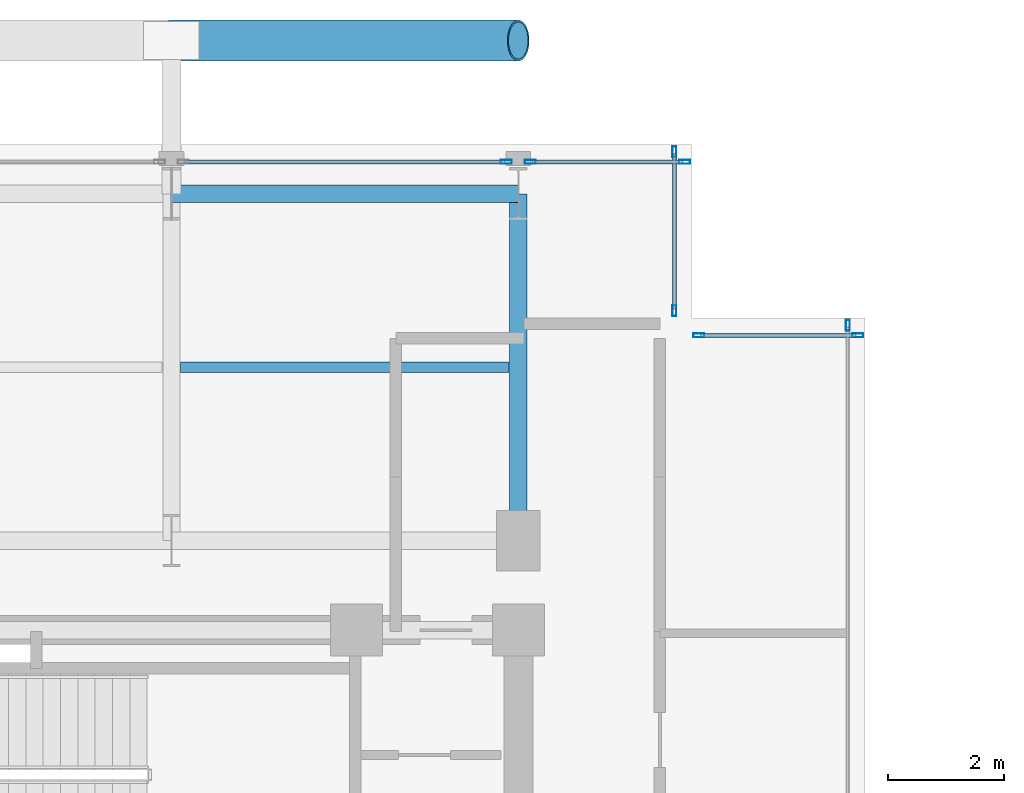
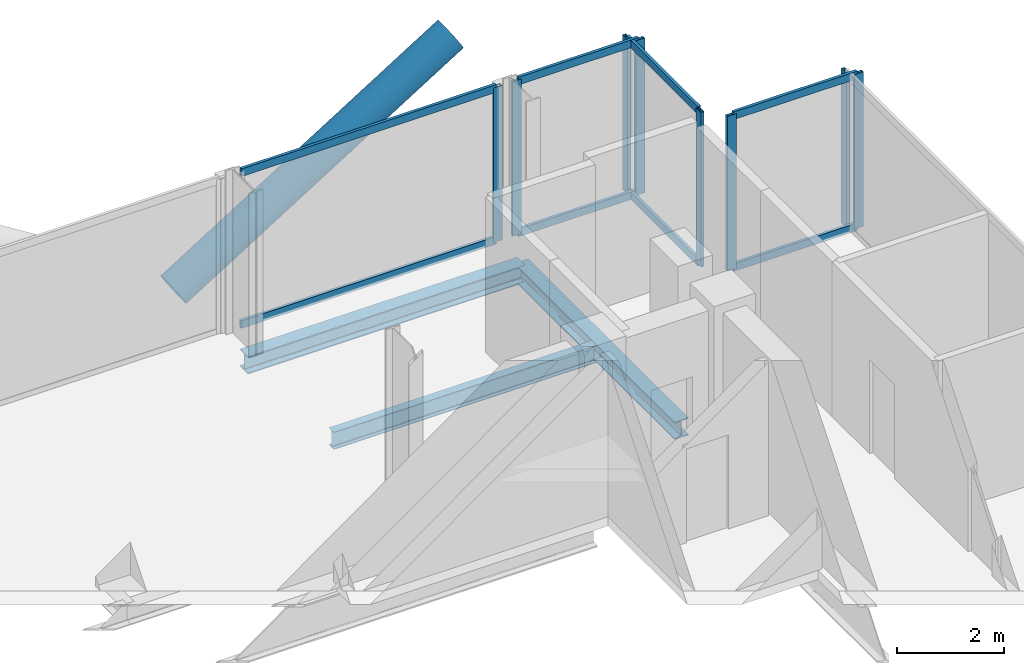
# One storey, part 14 of 21: 17 members, 3 beams, 5 elements without a shape of their own.
"""IFC4 building model written with IfcOpenShell, lengths in metres."""

from ifc_helpers import new_model, si_unit, direction, frame, origin, origin_2d, place, context, subcontext, project, spatial, hollow_rectangle, hollow_circle, i_section, extrude, material, layer, layer_set, material_profile, profile_set, type_object, element, aggregate, save


model = new_model("IFC4")

# Units and contexts
model_context = context("Model", 3, precision=1e-05, world=origin(), true_north=direction((0.0, 1.0)))
body_context = subcontext(model_context, "Body", "Model", "MODEL_VIEW")
ifc_project = project(units=[si_unit("LENGTHUNIT", "METRE"), si_unit("AREAUNIT", "SQUARE_METRE"), si_unit("VOLUMEUNIT", "CUBIC_METRE"), si_unit("PLANEANGLEUNIT", "RADIAN"), si_unit("MASSUNIT", "GRAM", prefix="KILO"), si_unit("THERMODYNAMICTEMPERATUREUNIT", "KELVIN"), si_unit("POWERUNIT", "WATT")], contexts=[model_context])

# Site, building, storey
site_placement = place(None, origin())
site = spatial("IfcSite", under=ifc_project, at=site_placement, CompositionType="ELEMENT")
building_placement = place(site_placement, origin())
building = spatial("IfcBuilding", under=site, at=building_placement, Name="Svarakhadi Broadcast Tower", CompositionType="ELEMENT")
storey_placement = place(building_placement, frame((0.0, 0.0, 208.64990234375)))
storey = spatial("IfcBuildingStorey", under=building, at=storey_placement, Name="L51", CompositionType="ELEMENT", Elevation=208.64990234375)

# Beam
ifc_material_1 = material(Name="Steel S355J2 (IS 2062 E350C)", Category="steel")
ifc_material_profile_1 = material_profile(ifc_material_1, i_section(OverallWidth=0.179931640625, OverallDepth=0.39990234375, WebThickness=0.008544921875, FlangeThickness=0.013427734375, FilletRadius=0.02099609375, at=origin_2d()), Name="NPB 400x180x66")
ifc_profile_set_1 = profile_set([ifc_material_profile_1], Name="Steel S355J2 (IS 2062 E350C)")
beam_type_1 = type_object("IfcBeamType", Name="Beam_NPB400", PredefinedType="BEAM", material=ifc_profile_set_1)
beam_placement = place(storey_placement, frame((12.159912109375, 32.14990234375, -0.409912109375), z_axis=(1.0, 0.0, 0.0), x_axis=(0.0, 1.0, 0.0)))
element("IfcBeam", 1, at=beam_placement, inside=storey, type_object=beam_type_1, Name="L51 Secondary Composite Beam SB012", PredefinedType="BEAM", context=body_context, shape_type="SweptSolid", body=[
    extrude(i_section(OverallWidth=0.179931640625, OverallDepth=0.39990234375, WebThickness=0.008544921875, FlangeThickness=0.013427734375, FilletRadius=0.02099609375, at=origin_2d()), origin(), (0.0, 0.0, 1.0), 5.68017578125),
])

# Curtain wall, member
ifc_material_2 = material(Name="Anodised Bronze Aluminium AA 6063-T6", Category="aluminium")
ifc_layer = layer(ifc_material_2, 0.18994140625)
ifc_layer_set = layer_set([ifc_layer], Name="Anodised Bronze Aluminium AA 6063-T6")
curtain_wall_type = type_object("IfcCurtainWallType", Name="CW_Sys_04", PredefinedType="NOTDEFINED", material=ifc_layer_set)
curtain_wall_1_placement = place(storey_placement, origin())
curtain_wall_1 = element("IfcCurtainWall", 2, at=curtain_wall_1_placement, inside=storey, type_object=curtain_wall_type, Name="L51 Unitised Facade Curtain Wall 06 Bay 2", PredefinedType="NOTDEFINED")
ifc_material_profile_2 = material_profile(ifc_material_2, hollow_rectangle(XDim=0.070068359375, YDim=0.18994140625, WallThickness=0.005615234375, at=origin_2d()), Name="ALU MULLION 190x70x6")
ifc_profile_set_2 = profile_set([ifc_material_profile_2], Name="Anodised Bronze Aluminium AA 6063-T6")
member_type_1 = type_object("IfcMemberType", Name="CW_Sys_04_Mul", PredefinedType="MULLION", material=ifc_profile_set_2)
member_1_placement = place(storey_placement, frame((17.794921875, 35.699951171875, 0.0), z_axis=(0.0, 0.0, 1.0), x_axis=(0.0, 1.0, 0.0)))
member_1 = element("IfcMember", 3, at=member_1_placement, type_object=member_type_1, Name="CW-04 mullion 2", PredefinedType="MULLION", context=body_context, shape_type="SweptSolid", body=[
    extrude(hollow_rectangle(XDim=0.070068359375, YDim=0.18994140625, WallThickness=0.005615234375, at=origin_2d()), origin(), (0.0, 0.0, 1.0), 3.5400390625),
])

# Curtain wall, members
curtain_wall_2_placement = place(storey_placement, origin())
curtain_wall_2 = element("IfcCurtainWall", 4, at=curtain_wall_2_placement, inside=storey, type_object=curtain_wall_type, Name="L51 Unitised Facade Curtain Wall 06 Bay 3", PredefinedType="NOTDEFINED")
member_2_placement = place(storey_placement, frame((18.205078125, 35.699951171875, 0.0), z_axis=(0.0, 0.0, 1.0), x_axis=(0.0, 1.0, 0.0)))
member_2 = element("IfcMember", 5, at=member_2_placement, type_object=member_type_1, Name="CW-04 mullion 1", PredefinedType="MULLION", context=body_context, shape_type="SweptSolid", body=[
    extrude(hollow_rectangle(XDim=0.070068359375, YDim=0.18994140625, WallThickness=0.005615234375, at=origin_2d()), origin(), (0.0, 0.0, 1.0), 3.5400390625),
])
member_3_placement = place(storey_placement, frame((20.875, 35.699951171875, 0.0), z_axis=(0.0, 0.0, 1.0), x_axis=(0.0, 1.0, 0.0)))
member_3 = element("IfcMember", 6, at=member_3_placement, type_object=member_type_1, Name="CW-04 mullion 2", PredefinedType="MULLION", context=body_context, shape_type="SweptSolid", body=[
    extrude(hollow_rectangle(XDim=0.070068359375, YDim=0.18994140625, WallThickness=0.005615234375, at=origin_2d()), origin(), (0.0, 0.0, 1.0), 3.5400390625),
])

curtain_wall_3_placement = place(storey_placement, origin())
curtain_wall_3 = element("IfcCurtainWall", 7, at=curtain_wall_3_placement, inside=storey, type_object=curtain_wall_type, Name="L51 Unitised Facade Curtain Wall 07", PredefinedType="NOTDEFINED")
member_4_placement = place(storey_placement, frame((20.699951171875, 35.875, 0.0), z_axis=(0.0, 0.0, 1.0), x_axis=(1.0, 0.0, 0.0)))
member_4 = element("IfcMember", 8, at=member_4_placement, type_object=member_type_1, Name="CW-04 mullion 1", PredefinedType="MULLION", context=body_context, shape_type="SweptSolid", body=[
    extrude(hollow_rectangle(XDim=0.070068359375, YDim=0.18994140625, WallThickness=0.005615234375, at=origin_2d()), origin(), (0.0, 0.0, 1.0), 3.5400390625),
])
member_5_placement = place(storey_placement, frame((20.699951171875, 33.125, 0.0), z_axis=(0.0, 0.0, 1.0), x_axis=(1.0, 0.0, 0.0)))
member_5 = element("IfcMember", 9, at=member_5_placement, type_object=member_type_1, Name="CW-04 mullion 2", PredefinedType="MULLION", context=body_context, shape_type="SweptSolid", body=[
    extrude(hollow_rectangle(XDim=0.070068359375, YDim=0.18994140625, WallThickness=0.005615234375, at=origin_2d()), origin(), (0.0, 0.0, 1.0), 3.5400390625),
])

curtain_wall_4_placement = place(storey_placement, origin())
curtain_wall_4 = element("IfcCurtainWall", 10, at=curtain_wall_4_placement, inside=storey, type_object=curtain_wall_type, Name="L51 Unitised Facade Curtain Wall 08", PredefinedType="NOTDEFINED")
member_6_placement = place(storey_placement, frame((21.125, 32.699951171875, 0.0), z_axis=(0.0, 0.0, 1.0), x_axis=(0.0, 1.0, 0.0)))
member_6 = element("IfcMember", 11, at=member_6_placement, type_object=member_type_1, Name="CW-04 mullion 1", PredefinedType="MULLION", context=body_context, shape_type="SweptSolid", body=[
    extrude(hollow_rectangle(XDim=0.070068359375, YDim=0.18994140625, WallThickness=0.005615234375, at=origin_2d()), origin(), (0.0, 0.0, 1.0), 3.5400390625),
])
member_7_placement = place(storey_placement, frame((23.875, 32.699951171875, 0.0), z_axis=(0.0, 0.0, 1.0), x_axis=(0.0, 1.0, 0.0)))
member_7 = element("IfcMember", 12, at=member_7_placement, type_object=member_type_1, Name="CW-04 mullion 2", PredefinedType="MULLION", context=body_context, shape_type="SweptSolid", body=[
    extrude(hollow_rectangle(XDim=0.070068359375, YDim=0.18994140625, WallThickness=0.005615234375, at=origin_2d()), origin(), (0.0, 0.0, 1.0), 3.5400390625),
])

# Curtain wall, member
curtain_wall_5_placement = place(storey_placement, origin())
curtain_wall_5 = element("IfcCurtainWall", 13, at=curtain_wall_5_placement, inside=storey, type_object=curtain_wall_type, Name="L51 Unitised Facade Curtain Wall 09", PredefinedType="NOTDEFINED")
member_8_placement = place(storey_placement, frame((23.699951171875, 32.875, 0.0), z_axis=(0.0, 0.0, 1.0), x_axis=(1.0, 0.0, 0.0)))
member_8 = element("IfcMember", 14, at=member_8_placement, type_object=member_type_1, Name="CW-04 mullion 1", PredefinedType="MULLION", context=body_context, shape_type="SweptSolid", body=[
    extrude(hollow_rectangle(XDim=0.070068359375, YDim=0.18994140625, WallThickness=0.005615234375, at=origin_2d()), origin(), (0.0, 0.0, 1.0), 3.5400390625),
])
aggregate(curtain_wall_5, [member_8])

# Member
ifc_material_profile_3 = material_profile(ifc_material_2, hollow_rectangle(XDim=0.06494140625, YDim=0.175048828125, WallThickness=0.0048828125, at=origin_2d()), Name="ALU TRANSOM 175x65x5")
ifc_profile_set_3 = profile_set([ifc_material_profile_3], Name="Anodised Bronze Aluminium AA 6063-T6")
member_type_2 = type_object("IfcMemberType", Name="CW_Sys_04_Trn", PredefinedType="USERDEFINED", material=ifc_profile_set_3)
member_9_placement = place(storey_placement, frame((12.239990234375, 35.699951171875, 0.03271484375), z_axis=(1.0, 0.0, 0.0), x_axis=(0.0, 1.0, 0.0)))
member_9 = element("IfcMember", 15, at=member_9_placement, type_object=member_type_2, Name="CW-04 transom 1.1", ObjectType="TRANSOM", PredefinedType="USERDEFINED", context=body_context, shape_type="SweptSolid", body=[
    extrude(hollow_rectangle(XDim=0.06494140625, YDim=0.175048828125, WallThickness=0.0048828125, at=origin_2d()), origin(), (0.0, 0.0, 1.0), 5.52001953125),
])

member_10_placement = place(storey_placement, frame((12.239990234375, 35.699951171875, 3.507568359375), z_axis=(1.0, 0.0, 0.0), x_axis=(0.0, 1.0, 0.0)))
member_10 = element("IfcMember", 16, at=member_10_placement, type_object=member_type_2, Name="CW-04 transom 1.2", ObjectType="TRANSOM", PredefinedType="USERDEFINED", context=body_context, shape_type="SweptSolid", body=[
    extrude(hollow_rectangle(XDim=0.06494140625, YDim=0.175048828125, WallThickness=0.0048828125, at=origin_2d()), origin(), (0.0, 0.0, 1.0), 5.52001953125),
])

aggregate(curtain_wall_1, [member_1, member_9, member_10])

member_11_placement = place(storey_placement, frame((18.239990234375, 35.699951171875, 0.03271484375), z_axis=(1.0, 0.0, 0.0), x_axis=(0.0, 1.0, 0.0)))
member_11 = element("IfcMember", 17, at=member_11_placement, type_object=member_type_2, Name="CW-04 transom 1.1", ObjectType="TRANSOM", PredefinedType="USERDEFINED", context=body_context, shape_type="SweptSolid", body=[
    extrude(hollow_rectangle(XDim=0.06494140625, YDim=0.175048828125, WallThickness=0.0048828125, at=origin_2d()), origin(), (0.0, 0.0, 1.0), 2.60009765625),
])

member_12_placement = place(storey_placement, frame((18.239990234375, 35.699951171875, 3.507568359375), z_axis=(1.0, 0.0, 0.0), x_axis=(0.0, 1.0, 0.0)))
member_12 = element("IfcMember", 18, at=member_12_placement, type_object=member_type_2, Name="CW-04 transom 1.2", ObjectType="TRANSOM", PredefinedType="USERDEFINED", context=body_context, shape_type="SweptSolid", body=[
    extrude(hollow_rectangle(XDim=0.06494140625, YDim=0.175048828125, WallThickness=0.0048828125, at=origin_2d()), origin(), (0.0, 0.0, 1.0), 2.60009765625),
])

aggregate(curtain_wall_2, [member_2, member_3, member_11, member_12])

member_13_placement = place(storey_placement, frame((20.699951171875, 35.840087890625, 0.03271484375), z_axis=(0.0, -1.0, 0.0), x_axis=(1.0, 0.0, 0.0)))
member_13 = element("IfcMember", 19, at=member_13_placement, type_object=member_type_2, Name="CW-04 transom 1.1", ObjectType="TRANSOM", PredefinedType="USERDEFINED", context=body_context, shape_type="SweptSolid", body=[
    extrude(hollow_rectangle(XDim=0.06494140625, YDim=0.175048828125, WallThickness=0.0048828125, at=origin_2d()), origin(), (0.0, 0.0, 1.0), 2.68017578125),
])

member_14_placement = place(storey_placement, frame((20.699951171875, 35.840087890625, 3.507568359375), z_axis=(0.0, -1.0, 0.0), x_axis=(1.0, 0.0, 0.0)))
member_14 = element("IfcMember", 20, at=member_14_placement, type_object=member_type_2, Name="CW-04 transom 1.2", ObjectType="TRANSOM", PredefinedType="USERDEFINED", context=body_context, shape_type="SweptSolid", body=[
    extrude(hollow_rectangle(XDim=0.06494140625, YDim=0.175048828125, WallThickness=0.0048828125, at=origin_2d()), origin(), (0.0, 0.0, 1.0), 2.68017578125),
])

aggregate(curtain_wall_3, [member_4, member_5, member_13, member_14])

member_15_placement = place(storey_placement, frame((21.159912109375, 32.699951171875, 0.03271484375), z_axis=(1.0, 0.0, 0.0), x_axis=(0.0, 1.0, 0.0)))
member_15 = element("IfcMember", 21, at=member_15_placement, type_object=member_type_2, Name="CW-04 transom 1.1", ObjectType="TRANSOM", PredefinedType="USERDEFINED", context=body_context, shape_type="SweptSolid", body=[
    extrude(hollow_rectangle(XDim=0.06494140625, YDim=0.175048828125, WallThickness=0.0048828125, at=origin_2d()), origin(), (0.0, 0.0, 1.0), 2.68017578125),
])

member_16_placement = place(storey_placement, frame((21.159912109375, 32.699951171875, 3.507568359375), z_axis=(1.0, 0.0, 0.0), x_axis=(0.0, 1.0, 0.0)))
member_16 = element("IfcMember", 22, at=member_16_placement, type_object=member_type_2, Name="CW-04 transom 1.2", ObjectType="TRANSOM", PredefinedType="USERDEFINED", context=body_context, shape_type="SweptSolid", body=[
    extrude(hollow_rectangle(XDim=0.06494140625, YDim=0.175048828125, WallThickness=0.0048828125, at=origin_2d()), origin(), (0.0, 0.0, 1.0), 2.68017578125),
])

aggregate(curtain_wall_4, [member_6, member_7, member_15, member_16])

ifc_material_3 = material(Name="Steel S460ML (IS 2062 E450BR)", Category="steel")
ifc_material_profile_4 = material_profile(ifc_material_3, hollow_circle(Radius=0.35546875, WallThickness=0.034912109375, at=origin_2d()), Name="CHS 711x35")
ifc_profile_set_4 = profile_set([ifc_material_profile_4], Name="Steel S460ML (IS 2062 E450BR)")
member_type_3 = type_object("IfcMemberType", Name="Exo_Brace_CHS711", PredefinedType="BRACE", material=ifc_profile_set_4)
member_17_placement = place(storey_placement, frame((12.0, 37.800048828125, -0.371826171875), z_axis=(0.847998304005, 0.0, 0.529998940003), x_axis=(0.0, 1.0, 0.0)))
element("IfcMember", 23, at=member_17_placement, inside=storey, type_object=member_type_3, Name="L51 Exposed Bronze Exoskeleton Diagonal N07", PredefinedType="BRACE", context=body_context, shape_type="SweptSolid", body=[
    extrude(hollow_circle(Radius=0.35546875, WallThickness=0.034912109375, at=origin_2d()), origin(), (0.0, 0.0, 1.0), 7.075439453125),
])

# Beams
ifc_material_profile_5 = material_profile(ifc_material_1, i_section(OverallWidth=0.300048828125, OverallDepth=0.39990234375, WebThickness=0.013427734375, FlangeThickness=0.02392578125, FilletRadius=0.027099609375, at=origin_2d()), Name="WPB 400x300x155")
ifc_profile_set_5 = profile_set([ifc_material_profile_5], Name="Steel S355J2 (IS 2062 E350C)")
beam_type_2 = type_object("IfcBeamType", Name="Girder_WPB400", PredefinedType="USERDEFINED", material=ifc_profile_set_5)
for number, where, z_axis, x_axis, name in (
    (24, (12.0, 35.14990234375, -0.409912109375), (1.0, 0.0, 0.0), (0.0, 1.0, 0.0), "L51 Primary E-W Girder G032"),
    (25, (18.0, 29.14990234375, -0.409912109375), (0.0, 1.0, 0.0), (-1.0, 0.0, 0.0), "L51 Primary N-S Girder G050"),
):
    element("IfcBeam", number, at=place(storey_placement, frame(where, z_axis=z_axis, x_axis=x_axis)), inside=storey, type_object=beam_type_2, Name=name, ObjectType="GIRDER", PredefinedType="USERDEFINED", context=body_context, shape_type="SweptSolid", body=[
        extrude(i_section(OverallWidth=0.300048828125, OverallDepth=0.39990234375, WebThickness=0.013427734375, FlangeThickness=0.02392578125, FilletRadius=0.027099609375, at=origin_2d()), origin(), (0.0, 0.0, 1.0), 6.0),
    ])

save(model, "model.ifc")
